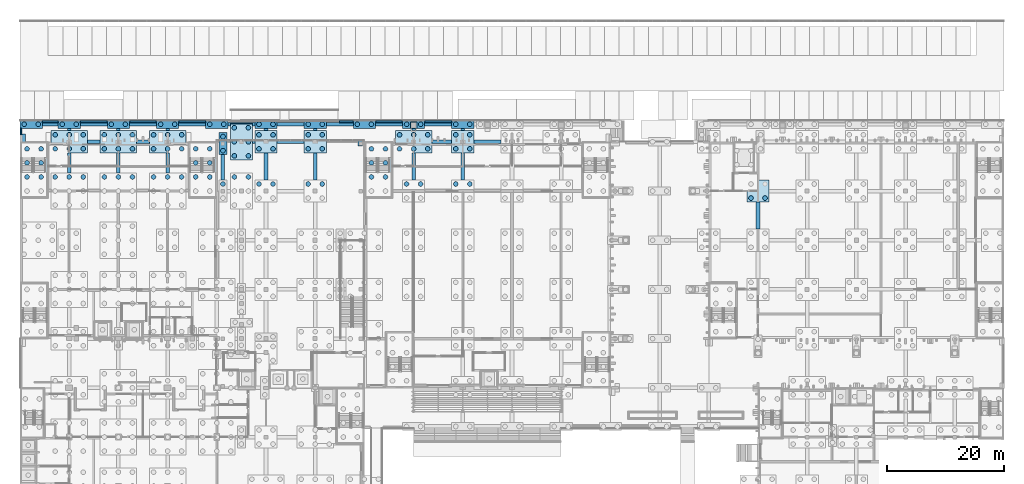
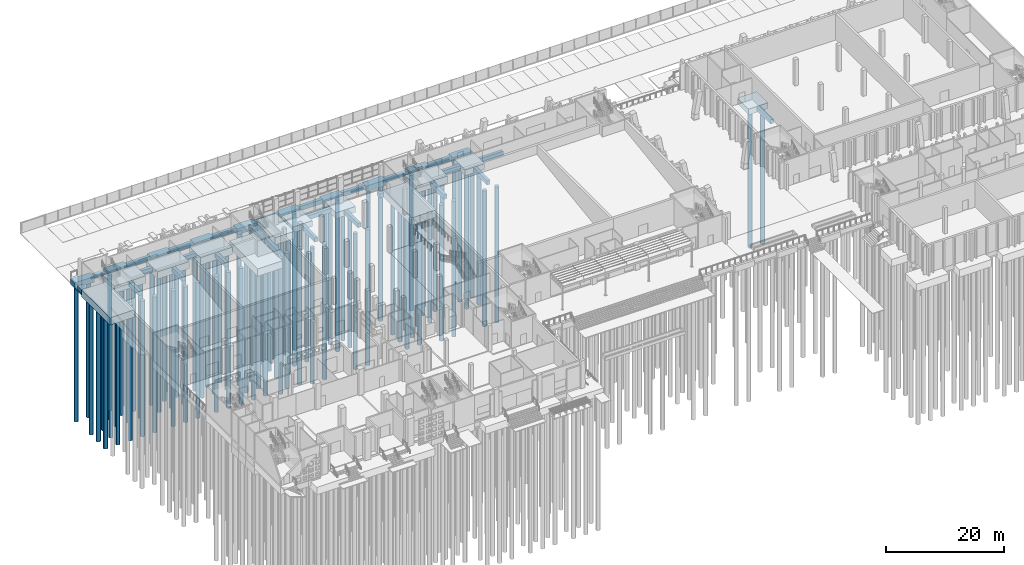
# One storey, part 6 of 129: 104 piles, 67 footings.
"""IFC4 building model written with IfcOpenShell, lengths in metres."""

from ifc_helpers import new_model, si_unit, direction, frame, origin, origin_2d, place, context, subcontext, project, spatial, rectangle, circle, extrude, material, material_profile, profile_set, type_object, element, save


model = new_model("IFC4")

# Units and contexts
model_context = context("Model", 3, precision=1e-05, world=origin(), true_north=direction((0.0, 1.0)))
body_context = subcontext(model_context, "Body", "Model", "MODEL_VIEW")
ifc_project = project(units=[si_unit("LENGTHUNIT", "METRE"), si_unit("AREAUNIT", "SQUARE_METRE"), si_unit("VOLUMEUNIT", "CUBIC_METRE"), si_unit("PLANEANGLEUNIT", "RADIAN"), si_unit("MASSUNIT", "GRAM", prefix="KILO")], contexts=[model_context])

# Site, building, storey
site_placement = place(None, origin())
site = spatial("IfcSite", under=ifc_project, at=site_placement, CompositionType="ELEMENT")
building_placement = place(site_placement, origin())
building = spatial("IfcBuilding", under=site, at=building_placement, Name="Kiln Court Media Centre", CompositionType="ELEMENT")
storey_placement = place(building_placement, origin())
storey = spatial("IfcBuildingStorey", under=building, at=storey_placement, Name="L00", CompositionType="ELEMENT", Elevation=0.0)

# Piles
ifc_material_1 = material(Name="Concrete C30/37", Category="concrete")
ifc_material_profile_1 = material_profile(ifc_material_1, circle(Radius=0.39990234375, at=origin_2d()), Name="PILE D800")
ifc_profile_set_1 = profile_set([ifc_material_profile_1], Name="Concrete C30/37")
pile_type_1 = type_object("IfcPileType", Name="Concrete C30/37 bored pile D800 cut-off -1.400 toe -29.400", PredefinedType="BORED", material=ifc_profile_set_1)
for number, where, z_axis, x_axis, name in (
    (1, (34.64990234375, 60.0, -1.39990234375), (0.0, 0.0, -1.0), (1.0, 0.0, 0.0), "L00-PI-1712"),
    (2, (40.800048828125, 60.0, -1.39990234375), (0.0, 0.0, -1.0), (1.0, 0.0, 0.0), "L00-PI-1721"),
    (3, (43.199951171875, 60.0, -1.39990234375), (0.0, 0.0, -1.0), (1.0, 0.0, 0.0), "L00-PI-1722"),
    (4, (49.199951171875, 60.0, -1.39990234375), (0.0, 0.0, -1.0), (1.0, 0.0, 0.0), "L00-PI-1725"),
    (5, (51.60009765625, 60.0, -1.39990234375), (0.0, 0.0, -1.0), (1.0, 0.0, 0.0), "L00-PI-1726"),
    (6, (66.0, 60.0, -1.39990234375), (0.0, 0.0, -1.0), (1.0, 0.0, 0.0), "L00-PI-1729"),
    (7, (68.39990234375, 60.0, -1.39990234375), (0.0, 0.0, -1.0), (1.0, 0.0, 0.0), "L00-PI-1730"),
    (8, (74.39990234375, 60.0, -1.39990234375), (0.0, 0.0, -1.0), (1.0, 0.0, 0.0), "L00-PI-1733"),
    (9, (76.800048828125, 60.0, -1.39990234375), (0.0, 0.0, -1.0), (1.0, 0.0, 0.0), "L00-PI-1734"),
    (10, (124.800048828125, 57.60009765625, -1.39990234375), (0.0, 0.0, -1.0), (1.0, 0.0, 0.0), "L00-PI-1749"),
    (11, (127.199951171875, 57.60009765625, -1.39990234375), (0.0, 0.0, -1.0), (1.0, 0.0, 0.0), "L00-PI-1750"),
    (12, (34.64990234375, 65.699951171875, -1.39990234375), (0.0, 0.0, -1.0), (1.0, 0.0, 0.0), "L00-PI-1813"),
    (13, (34.64990234375, 68.10009765625, -1.39990234375), (0.0, 0.0, -1.0), (1.0, 0.0, 0.0), "L00-PI-1814"),
    (14, (40.800048828125, 66.0, -1.39990234375), (0.0, 0.0, -1.0), (1.0, 0.0, 0.0), "L00-PI-1839"),
    (15, (43.199951171875, 66.0, -1.39990234375), (0.0, 0.0, -1.0), (1.0, 0.0, 0.0), "L00-PI-1840"),
    (16, (40.800048828125, 68.39990234375, -1.39990234375), (0.0, 0.0, -1.0), (1.0, 0.0, 0.0), "L00-PI-1841"),
    (17, (43.199951171875, 68.39990234375, -1.39990234375), (0.0, 0.0, -1.0), (1.0, 0.0, 0.0), "L00-PI-1842"),
    (18, (49.199951171875, 66.0, -1.39990234375), (0.0, 0.0, -1.0), (1.0, 0.0, 0.0), "L00-PI-1843"),
    (19, (51.60009765625, 66.0, -1.39990234375), (0.0, 0.0, -1.0), (1.0, 0.0, 0.0), "L00-PI-1844"),
    (20, (49.199951171875, 68.39990234375, -1.39990234375), (0.0, 0.0, -1.0), (1.0, 0.0, 0.0), "L00-PI-1845"),
    (21, (51.60009765625, 68.39990234375, -1.39990234375), (0.0, 0.0, -1.0), (1.0, 0.0, 0.0), "L00-PI-1846"),
    (22, (74.39990234375, 66.0, -1.39990234375), (0.0, 0.0, -1.0), (1.0, 0.0, 0.0), "L00-PI-1853"),
    (23, (76.800048828125, 66.0, -1.39990234375), (0.0, 0.0, -1.0), (1.0, 0.0, 0.0), "L00-PI-1854"),
    (24, (74.39990234375, 68.39990234375, -1.39990234375), (0.0, 0.0, -1.0), (1.0, 0.0, 0.0), "L00-PI-1855"),
    (25, (76.800048828125, 68.39990234375, -1.39990234375), (0.0, 0.0, -1.0), (1.0, 0.0, 0.0), "L00-PI-1856"),
    (26, (0.699951171875, 70.199951171875, -1.39990234375), (0.0, 0.0, -1.0), (1.0, 0.0, 0.0), "L00-PI-1891"),
    (27, (3.10009765625, 70.199951171875, -1.39990234375), (0.0, 0.0, -1.0), (1.0, 0.0, 0.0), "L00-PI-1892"),
    (28, (7.199951171875, 70.199951171875, -1.39990234375), (0.0, 0.0, -1.0), (1.0, 0.0, 0.0), "L00-PI-1893"),
    (29, (9.60009765625, 70.199951171875, -1.39990234375), (0.0, 0.0, -1.0), (1.0, 0.0, 0.0), "L00-PI-1894"),
    (30, (15.60009765625, 70.199951171875, -1.39990234375), (0.0, 0.0, -1.0), (1.0, 0.0, 0.0), "L00-PI-1895"),
    (31, (18.0, 70.199951171875, -1.39990234375), (0.0, 0.0, -1.0), (1.0, 0.0, 0.0), "L00-PI-1896"),
    (32, (24.0, 70.199951171875, -1.39990234375), (0.0, 0.0, -1.0), (1.0, 0.0, 0.0), "L00-PI-1897"),
    (33, (26.39990234375, 70.199951171875, -1.39990234375), (0.0, 0.0, -1.0), (1.0, 0.0, 0.0), "L00-PI-1898"),
    (34, (32.39990234375, 70.199951171875, -1.39990234375), (0.0, 0.0, -1.0), (1.0, 0.0, 0.0), "L00-PI-1899"),
    (35, (34.800048828125, 70.199951171875, -1.39990234375), (0.0, 0.0, -1.0), (1.0, 0.0, 0.0), "L00-PI-1900"),
    (36, (40.800048828125, 70.199951171875, -1.39990234375), (0.0, 0.0, -1.0), (1.0, 0.0, 0.0), "L00-PI-1901"),
    (37, (43.199951171875, 70.199951171875, -1.39990234375), (0.0, 0.0, -1.0), (1.0, 0.0, 0.0), "L00-PI-1902"),
    (38, (49.199951171875, 70.199951171875, -1.39990234375), (0.0, 0.0, -1.0), (1.0, 0.0, 0.0), "L00-PI-1903"),
    (39, (51.60009765625, 70.199951171875, -1.39990234375), (0.0, 0.0, -1.0), (1.0, 0.0, 0.0), "L00-PI-1904"),
    (40, (57.60009765625, 70.199951171875, -1.39990234375), (0.0, 0.0, -1.0), (1.0, 0.0, 0.0), "L00-PI-1905"),
    (41, (60.0, 70.199951171875, -1.39990234375), (0.0, 0.0, -1.0), (1.0, 0.0, 0.0), "L00-PI-1906"),
    (42, (66.0, 70.199951171875, -1.39990234375), (0.0, 0.0, -1.0), (1.0, 0.0, 0.0), "L00-PI-1907"),
    (43, (68.39990234375, 70.199951171875, -1.39990234375), (0.0, 0.0, -1.0), (1.0, 0.0, 0.0), "L00-PI-1908"),
    (44, (74.39990234375, 70.199951171875, -1.39990234375), (0.0, 0.0, -1.0), (1.0, 0.0, 0.0), "L00-PI-1909"),
    (45, (76.800048828125, 70.199951171875, -1.39990234375), (0.0, 0.0, -1.0), (1.0, 0.0, 0.0), "L00-PI-1910"),
):
    element("IfcPile", number, at=place(storey_placement, frame(where, z_axis=z_axis, x_axis=x_axis)), inside=storey, type_object=pile_type_1, Name=name, PredefinedType="BORED", context=body_context, shape_type="SweptSolid", body=[
        extrude(circle(Radius=0.39990234375, at=origin_2d()), origin(), (0.0, 0.0, 1.0), 28.0),
    ])
ifc_material_2 = material(Name="Concrete C30/37", Category="concrete")
ifc_material_profile_2 = material_profile(ifc_material_2, circle(Radius=0.39990234375, at=origin_2d()), Name="PILE D800")
ifc_profile_set_2 = profile_set([ifc_material_profile_2], Name="Concrete C30/37")
pile_type_2 = type_object("IfcPileType", Name="Concrete C30/37 bored pile D800 cut-off -1.700 toe -29.700", PredefinedType="BORED", material=ifc_profile_set_2)
for number, where, z_axis, x_axis, name in (
    (46, (6.0, 61.199951171875, -1.699951171875), (0.0, 0.0, -1.0), (1.0, 0.0, 0.0), "L00-PI-1690"),
    (47, (8.39990234375, 61.199951171875, -1.699951171875), (0.0, 0.0, -1.0), (1.0, 0.0, 0.0), "L00-PI-1691"),
    (48, (10.800048828125, 61.199951171875, -1.699951171875), (0.0, 0.0, -1.0), (1.0, 0.0, 0.0), "L00-PI-1692"),
    (49, (14.39990234375, 61.199951171875, -1.699951171875), (0.0, 0.0, -1.0), (1.0, 0.0, 0.0), "L00-PI-1699"),
    (50, (16.800048828125, 61.199951171875, -1.699951171875), (0.0, 0.0, -1.0), (1.0, 0.0, 0.0), "L00-PI-1700"),
    (51, (19.199951171875, 61.199951171875, -1.699951171875), (0.0, 0.0, -1.0), (1.0, 0.0, 0.0), "L00-PI-1701"),
    (52, (22.800048828125, 61.199951171875, -1.699951171875), (0.0, 0.0, -1.0), (1.0, 0.0, 0.0), "L00-PI-1708"),
    (53, (25.199951171875, 61.199951171875, -1.699951171875), (0.0, 0.0, -1.0), (1.0, 0.0, 0.0), "L00-PI-1709"),
    (54, (27.60009765625, 61.199951171875, -1.699951171875), (0.0, 0.0, -1.0), (1.0, 0.0, 0.0), "L00-PI-1710"),
    (55, (36.60107421875, 61.199951171875, -1.699951171875), (0.0, 0.0, -1.0), (1.0, 0.0, 0.0), "L00-PI-1717"),
    (56, (39.0009765625, 61.199951171875, -1.699951171875), (0.0, 0.0, -1.0), (1.0, 0.0, 0.0), "L00-PI-1718"),
    (57, (1.199951171875, 61.199951171875, -1.699951171875), (0.0, 0.0, -1.0), (1.0, 0.0, 0.0), "L00-PI-1771"),
    (58, (3.60009765625, 61.199951171875, -1.699951171875), (0.0, 0.0, -1.0), (1.0, 0.0, 0.0), "L00-PI-1772"),
    (59, (1.199951171875, 63.60009765625, -1.699951171875), (0.0, 0.0, -1.0), (1.0, 0.0, 0.0), "L00-PI-1773"),
    (60, (3.60009765625, 63.60009765625, -1.699951171875), (0.0, 0.0, -1.0), (1.0, 0.0, 0.0), "L00-PI-1774"),
    (61, (1.199951171875, 66.0, -1.699951171875), (0.0, 0.0, -1.0), (1.0, 0.0, 0.0), "L00-PI-1775"),
    (62, (3.60009765625, 66.0, -1.699951171875), (0.0, 0.0, -1.0), (1.0, 0.0, 0.0), "L00-PI-1776"),
    (63, (30.0, 61.199951171875, -1.699951171875), (0.0, 0.0, -1.0), (1.0, 0.0, 0.0), "L00-PI-1779"),
    (64, (32.39990234375, 61.199951171875, -1.699951171875), (0.0, 0.0, -1.0), (1.0, 0.0, 0.0), "L00-PI-1780"),
    (65, (30.0, 63.60009765625, -1.699951171875), (0.0, 0.0, -1.0), (1.0, 0.0, 0.0), "L00-PI-1781"),
    (66, (32.39990234375, 63.60009765625, -1.699951171875), (0.0, 0.0, -1.0), (1.0, 0.0, 0.0), "L00-PI-1782"),
    (67, (30.0, 66.0, -1.699951171875), (0.0, 0.0, -1.0), (1.0, 0.0, 0.0), "L00-PI-1783"),
    (68, (32.39990234375, 66.0, -1.699951171875), (0.0, 0.0, -1.0), (1.0, 0.0, 0.0), "L00-PI-1784"),
    (69, (60.0, 61.199951171875, -1.699951171875), (0.0, 0.0, -1.0), (1.0, 0.0, 0.0), "L00-PI-1787"),
    (70, (62.39990234375, 61.199951171875, -1.699951171875), (0.0, 0.0, -1.0), (1.0, 0.0, 0.0), "L00-PI-1788"),
    (71, (60.0, 63.60009765625, -1.699951171875), (0.0, 0.0, -1.0), (1.0, 0.0, 0.0), "L00-PI-1789"),
    (72, (62.39990234375, 63.60009765625, -1.699951171875), (0.0, 0.0, -1.0), (1.0, 0.0, 0.0), "L00-PI-1790"),
    (73, (60.0, 66.0, -1.699951171875), (0.0, 0.0, -1.0), (1.0, 0.0, 0.0), "L00-PI-1791"),
    (74, (62.39990234375, 66.0, -1.699951171875), (0.0, 0.0, -1.0), (1.0, 0.0, 0.0), "L00-PI-1792"),
    (75, (6.0, 66.0, -1.699951171875), (0.0, 0.0, -1.0), (1.0, 0.0, 0.0), "L00-PI-1815"),
    (76, (8.39990234375, 66.0, -1.699951171875), (0.0, 0.0, -1.0), (1.0, 0.0, 0.0), "L00-PI-1816"),
    (77, (10.800048828125, 66.0, -1.699951171875), (0.0, 0.0, -1.0), (1.0, 0.0, 0.0), "L00-PI-1817"),
    (78, (6.0, 68.39990234375, -1.699951171875), (0.0, 0.0, -1.0), (1.0, 0.0, 0.0), "L00-PI-1818"),
    (79, (8.39990234375, 68.39990234375, -1.699951171875), (0.0, 0.0, -1.0), (1.0, 0.0, 0.0), "L00-PI-1819"),
    (80, (10.800048828125, 68.39990234375, -1.699951171875), (0.0, 0.0, -1.0), (1.0, 0.0, 0.0), "L00-PI-1820"),
    (81, (14.39990234375, 66.0, -1.699951171875), (0.0, 0.0, -1.0), (1.0, 0.0, 0.0), "L00-PI-1821"),
    (82, (16.800048828125, 66.0, -1.699951171875), (0.0, 0.0, -1.0), (1.0, 0.0, 0.0), "L00-PI-1822"),
    (83, (19.199951171875, 66.0, -1.699951171875), (0.0, 0.0, -1.0), (1.0, 0.0, 0.0), "L00-PI-1823"),
    (84, (14.39990234375, 68.39990234375, -1.699951171875), (0.0, 0.0, -1.0), (1.0, 0.0, 0.0), "L00-PI-1824"),
    (85, (16.800048828125, 68.39990234375, -1.699951171875), (0.0, 0.0, -1.0), (1.0, 0.0, 0.0), "L00-PI-1825"),
    (86, (19.199951171875, 68.39990234375, -1.699951171875), (0.0, 0.0, -1.0), (1.0, 0.0, 0.0), "L00-PI-1826"),
    (87, (22.800048828125, 66.0, -1.699951171875), (0.0, 0.0, -1.0), (1.0, 0.0, 0.0), "L00-PI-1827"),
    (88, (25.199951171875, 66.0, -1.699951171875), (0.0, 0.0, -1.0), (1.0, 0.0, 0.0), "L00-PI-1828"),
    (89, (27.60009765625, 66.0, -1.699951171875), (0.0, 0.0, -1.0), (1.0, 0.0, 0.0), "L00-PI-1829"),
    (90, (22.800048828125, 68.39990234375, -1.699951171875), (0.0, 0.0, -1.0), (1.0, 0.0, 0.0), "L00-PI-1830"),
    (91, (25.199951171875, 68.39990234375, -1.699951171875), (0.0, 0.0, -1.0), (1.0, 0.0, 0.0), "L00-PI-1831"),
    (92, (27.60009765625, 68.39990234375, -1.699951171875), (0.0, 0.0, -1.0), (1.0, 0.0, 0.0), "L00-PI-1832"),
    (93, (36.60009765625, 64.800048828125, -1.699951171875), (0.0, 0.0, -1.0), (1.0, 0.0, 0.0), "L00-PI-1833"),
    (94, (39.0, 64.800048828125, -1.699951171875), (0.0, 0.0, -1.0), (1.0, 0.0, 0.0), "L00-PI-1834"),
    (95, (36.60009765625, 67.199951171875, -1.699951171875), (0.0, 0.0, -1.0), (1.0, 0.0, 0.0), "L00-PI-1835"),
    (96, (39.0, 67.199951171875, -1.699951171875), (0.0, 0.0, -1.0), (1.0, 0.0, 0.0), "L00-PI-1836"),
    (97, (36.60009765625, 69.60009765625, -1.699951171875), (0.0, 0.0, -1.0), (1.0, 0.0, 0.0), "L00-PI-1837"),
    (98, (39.0, 69.60009765625, -1.699951171875), (0.0, 0.0, -1.0), (1.0, 0.0, 0.0), "L00-PI-1838"),
    (99, (64.800048828125, 66.0, -1.699951171875), (0.0, 0.0, -1.0), (1.0, 0.0, 0.0), "L00-PI-1847"),
    (100, (67.199951171875, 66.0, -1.699951171875), (0.0, 0.0, -1.0), (1.0, 0.0, 0.0), "L00-PI-1848"),
    (101, (69.60009765625, 66.0, -1.699951171875), (0.0, 0.0, -1.0), (1.0, 0.0, 0.0), "L00-PI-1849"),
    (102, (64.800048828125, 68.39990234375, -1.699951171875), (0.0, 0.0, -1.0), (1.0, 0.0, 0.0), "L00-PI-1850"),
    (103, (67.199951171875, 68.39990234375, -1.699951171875), (0.0, 0.0, -1.0), (1.0, 0.0, 0.0), "L00-PI-1851"),
    (104, (69.60009765625, 68.39990234375, -1.699951171875), (0.0, 0.0, -1.0), (1.0, 0.0, 0.0), "L00-PI-1852"),
):
    element("IfcPile", number, at=place(storey_placement, frame(where, z_axis=z_axis, x_axis=x_axis)), inside=storey, type_object=pile_type_2, Name=name, PredefinedType="BORED", context=body_context, shape_type="SweptSolid", body=[
        extrude(circle(Radius=0.39990234375, at=origin_2d()), origin(), (0.0, 0.0, 1.0), 28.0),
    ])

# Footings
ifc_material_3 = material(Name="Concrete C30/37", Category="concrete")
footing_type_1 = type_object("IfcFootingType", Name="Concrete C30/37 column pad 1500x900", PredefinedType="PAD_FOOTING", material=ifc_material_3)
footing_1_placement = place(storey_placement, frame((0.47509765625, 67.875, -1.199951171875), z_axis=(0.0, 0.0, 1.0), x_axis=(1.0, 0.0, 0.0)))
element("IfcFooting", 105, at=footing_1_placement, inside=storey, type_object=footing_type_1, Name="L00-FT-1543", PredefinedType="PAD_FOOTING", context=body_context, shape_type="SweptSolid", body=[
    extrude(rectangle(XDim=0.949951171875, YDim=1.35009765625, at=origin_2d()), origin(), (0.0, 0.0, 1.0), 0.89990234375),
])
ifc_material_4 = material(Name="Concrete C30/37", Category="concrete")
footing_type_2 = type_object("IfcFootingType", Name="Concrete C30/37 column pad 900x900", PredefinedType="PAD_FOOTING", material=ifc_material_4)
footing_2_placement = place(storey_placement, frame((58.074951171875, 66.89990234375, -1.199951171875), z_axis=(0.0, 0.0, 1.0), x_axis=(1.0, 0.0, 0.0)))
element("IfcFooting", 106, at=footing_2_placement, inside=storey, type_object=footing_type_2, Name="L00-FT-1521", PredefinedType="PAD_FOOTING", context=body_context, shape_type="SweptSolid", body=[
    extrude(rectangle(XDim=0.75, YDim=0.89990234375, at=origin_2d()), origin(), (0.0, 0.0, 1.0), 0.89990234375),
])
ifc_material_5 = material(Name="Concrete C30/37", Category="concrete")
footing_type_3 = type_object("IfcFootingType", Name="Concrete C30/37 foot pier 1100x1100", PredefinedType="PAD_FOOTING", material=ifc_material_5)
footing_3_placement = place(storey_placement, frame((67.199951171875, 70.044189453125, -0.2998046875), z_axis=(0.0, 0.0, 1.0), x_axis=(1.0, 0.0, 0.0)))
element("IfcFooting", 107, at=footing_3_placement, inside=storey, type_object=footing_type_3, Name="L00-FT-1004", PredefinedType="PAD_FOOTING", context=body_context, shape_type="SweptSolid", body=[
    extrude(rectangle(XDim=1.10009765625, YDim=1.10009765625, at=origin_2d()), origin(), (0.0, 0.0, 1.0), 0.300048828125),
])
ifc_material_6 = material(Name="Concrete C30/37", Category="concrete")
footing_type_4 = type_object("IfcFootingType", Name="Concrete C30/37 ground beam 600x900", PredefinedType="STRIP_FOOTING", material=ifc_material_6)
footing_4_placement = place(storey_placement, frame((126.0, 54.60009765625, -1.199951171875), z_axis=(0.0, 0.0, 1.0), x_axis=(1.0, 0.0, 0.0)))
element("IfcFooting", 108, at=footing_4_placement, inside=storey, type_object=footing_type_4, Name="L00-FT-1369", PredefinedType="STRIP_FOOTING", context=body_context, shape_type="SweptSolid", body=[
    extrude(rectangle(XDim=0.60009765625, YDim=4.60009765625, at=origin_2d()), origin(), (0.0, 0.0, 1.0), 0.89990234375),
])
for number, where, z_axis, x_axis, name in (
    (109, (8.39990234375, 63.60009765625, -1.199951171875), (0.0, 0.0, 1.0), (1.0, 0.0, 0.0), "L00-FT-1384"),
    (110, (16.800048828125, 63.60009765625, -1.199951171875), (0.0, 0.0, 1.0), (1.0, 0.0, 0.0), "L00-FT-1385"),
    (111, (25.199951171875, 63.60009765625, -1.199951171875), (0.0, 0.0, 1.0), (1.0, 0.0, 0.0), "L00-FT-1386"),
):
    element("IfcFooting", number, at=place(storey_placement, frame(where, z_axis=z_axis, x_axis=x_axis)), inside=storey, type_object=footing_type_4, Name=name, PredefinedType="STRIP_FOOTING", context=body_context, shape_type="SweptSolid", body=[
        extrude(rectangle(XDim=0.60009765625, YDim=3.39990234375, at=origin_2d()), origin(), (0.0, 0.0, 1.0), 0.89990234375),
    ])
footing_5_placement = place(storey_placement, frame((34.64990234375, 62.85009765625, -1.199951171875), z_axis=(0.0, 0.0, 1.0), x_axis=(1.0, 0.0, 0.0)))
element("IfcFooting", 112, at=footing_5_placement, inside=storey, type_object=footing_type_4, Name="L00-FT-1387", PredefinedType="STRIP_FOOTING", context=body_context, shape_type="SweptSolid", body=[
    extrude(rectangle(XDim=0.60009765625, YDim=4.300048828125, at=origin_2d()), origin(), (0.0, 0.0, 1.0), 0.89990234375),
])
for number, where, z_axis, x_axis, name in (
    (113, (42.0, 63.0, -1.199951171875), (0.0, 0.0, 1.0), (1.0, 0.0, 0.0), "L00-FT-1388"),
    (114, (50.39990234375, 63.0, -1.199951171875), (0.0, 0.0, 1.0), (1.0, 0.0, 0.0), "L00-FT-1389"),
    (115, (67.199951171875, 63.0, -1.199951171875), (0.0, 0.0, 1.0), (1.0, 0.0, 0.0), "L00-FT-1390"),
    (116, (75.60009765625, 63.0, -1.199951171875), (0.0, 0.0, 1.0), (1.0, 0.0, 0.0), "L00-FT-1391"),
):
    element("IfcFooting", number, at=place(storey_placement, frame(where, z_axis=z_axis, x_axis=x_axis)), inside=storey, type_object=footing_type_4, Name=name, PredefinedType="STRIP_FOOTING", context=body_context, shape_type="SweptSolid", body=[
        extrude(rectangle(XDim=0.60009765625, YDim=4.60009765625, at=origin_2d()), origin(), (0.0, 0.0, 1.0), 0.89990234375),
    ])
for number, where, z_axis, x_axis, name in (
    (117, (12.60009765625, 67.199951171875, -1.199951171875), (0.0, 0.0, 1.0), (1.0, 0.0, 0.0), "L00-FT-1399"),
    (118, (21.0, 67.199951171875, -1.199951171875), (0.0, 0.0, 1.0), (1.0, 0.0, 0.0), "L00-FT-1400"),
):
    element("IfcFooting", number, at=place(storey_placement, frame(where, z_axis=z_axis, x_axis=x_axis)), inside=storey, type_object=footing_type_4, Name=name, PredefinedType="STRIP_FOOTING", context=body_context, shape_type="SweptSolid", body=[
        extrude(rectangle(XDim=2.199951171875, YDim=0.60009765625, at=origin_2d()), origin(), (0.0, 0.0, 1.0), 0.89990234375),
    ])
footing_6_placement = place(storey_placement, frame((39.89990234375, 67.199951171875, -1.199951171875), z_axis=(0.0, 0.0, 1.0), x_axis=(1.0, 0.0, 0.0)))
element("IfcFooting", 119, at=footing_6_placement, inside=storey, type_object=footing_type_4, Name="L00-FT-1401", PredefinedType="STRIP_FOOTING", context=body_context, shape_type="SweptSolid", body=[
    extrude(rectangle(XDim=0.39990234375, YDim=0.60009765625, at=origin_2d()), origin(), (0.0, 0.0, 1.0), 0.89990234375),
])
footing_7_placement = place(storey_placement, frame((46.199951171875, 67.199951171875, -1.199951171875), z_axis=(0.0, 0.0, 1.0), x_axis=(1.0, 0.0, 0.0)))
element("IfcFooting", 120, at=footing_7_placement, inside=storey, type_object=footing_type_4, Name="L00-FT-1402", PredefinedType="STRIP_FOOTING", context=body_context, shape_type="SweptSolid", body=[
    extrude(rectangle(XDim=4.60009765625, YDim=0.60009765625, at=origin_2d()), origin(), (0.0, 0.0, 1.0), 0.89990234375),
])
footing_8_placement = place(storey_placement, frame((72.0, 67.199951171875, -1.199951171875), z_axis=(0.0, 0.0, 1.0), x_axis=(1.0, 0.0, 0.0)))
element("IfcFooting", 121, at=footing_8_placement, inside=storey, type_object=footing_type_4, Name="L00-FT-1403", PredefinedType="STRIP_FOOTING", context=body_context, shape_type="SweptSolid", body=[
    extrude(rectangle(XDim=3.39990234375, YDim=0.60009765625, at=origin_2d()), origin(), (0.0, 0.0, 1.0), 0.89990234375),
])
footing_9_placement = place(storey_placement, frame((79.800048828125, 67.199951171875, -1.199951171875), z_axis=(0.0, 0.0, 1.0), x_axis=(1.0, 0.0, 0.0)))
element("IfcFooting", 122, at=footing_9_placement, inside=storey, type_object=footing_type_4, Name="L00-FT-1404", PredefinedType="STRIP_FOOTING", context=body_context, shape_type="SweptSolid", body=[
    extrude(rectangle(XDim=4.60009765625, YDim=0.60009765625, at=origin_2d()), origin(), (0.0, 0.0, 1.0), 0.89990234375),
])
for number, where, z_axis, x_axis, name in (
    (123, (8.39990234375, 69.300048828125, -1.199951171875), (0.0, 0.0, 1.0), (1.0, 0.0, 0.0), "L00-FT-1412"),
    (124, (16.800048828125, 69.300048828125, -1.199951171875), (0.0, 0.0, 1.0), (1.0, 0.0, 0.0), "L00-FT-1413"),
    (125, (25.199951171875, 69.300048828125, -1.199951171875), (0.0, 0.0, 1.0), (1.0, 0.0, 0.0), "L00-FT-1414"),
    (126, (42.0, 69.300048828125, -1.199951171875), (0.0, 0.0, 1.0), (1.0, 0.0, 0.0), "L00-FT-1415"),
    (127, (50.39990234375, 69.300048828125, -1.199951171875), (0.0, 0.0, 1.0), (1.0, 0.0, 0.0), "L00-FT-1416"),
    (128, (67.199951171875, 69.300048828125, -1.199951171875), (0.0, 0.0, 1.0), (1.0, 0.0, 0.0), "L00-FT-1417"),
    (129, (75.60009765625, 69.300048828125, -1.199951171875), (0.0, 0.0, 1.0), (1.0, 0.0, 0.0), "L00-FT-1418"),
):
    element("IfcFooting", number, at=place(storey_placement, frame(where, z_axis=z_axis, x_axis=x_axis)), inside=storey, type_object=footing_type_4, Name=name, PredefinedType="STRIP_FOOTING", context=body_context, shape_type="SweptSolid", body=[
        extrude(rectangle(XDim=0.60009765625, YDim=0.39990234375, at=origin_2d()), origin(), (0.0, 0.0, 1.0), 0.89990234375),
    ])
footing_10_placement = place(storey_placement, frame((5.14990234375, 70.199951171875, -1.199951171875), z_axis=(0.0, 0.0, 1.0), x_axis=(1.0, 0.0, 0.0)))
element("IfcFooting", 130, at=footing_10_placement, inside=storey, type_object=footing_type_4, Name="L00-FT-1426", PredefinedType="STRIP_FOOTING", context=body_context, shape_type="SweptSolid", body=[
    extrude(rectangle(XDim=2.699951171875, YDim=0.60009765625, at=origin_2d()), origin(), (0.0, 0.0, 1.0), 0.89990234375),
])
for number, where, z_axis, x_axis, name in (
    (131, (12.60009765625, 70.199951171875, -1.199951171875), (0.0, 0.0, 1.0), (1.0, 0.0, 0.0), "L00-FT-1427"),
    (132, (21.0, 70.199951171875, -1.199951171875), (0.0, 0.0, 1.0), (1.0, 0.0, 0.0), "L00-FT-1428"),
    (133, (29.39990234375, 70.199951171875, -1.199951171875), (0.0, 0.0, 1.0), (1.0, 0.0, 0.0), "L00-FT-1429"),
):
    element("IfcFooting", number, at=place(storey_placement, frame(where, z_axis=z_axis, x_axis=x_axis)), inside=storey, type_object=footing_type_4, Name=name, PredefinedType="STRIP_FOOTING", context=body_context, shape_type="SweptSolid", body=[
        extrude(rectangle(XDim=4.60009765625, YDim=0.60009765625, at=origin_2d()), origin(), (0.0, 0.0, 1.0), 0.89990234375),
    ])
for number, where, z_axis, x_axis, name in (
    (134, (35.699951171875, 70.199951171875, -1.199951171875), (0.0, 0.0, 1.0), (1.0, 0.0, 0.0), "L00-FT-1430"),
    (135, (39.89990234375, 70.199951171875, -1.199951171875), (0.0, 0.0, 1.0), (1.0, 0.0, 0.0), "L00-FT-1431"),
):
    element("IfcFooting", number, at=place(storey_placement, frame(where, z_axis=z_axis, x_axis=x_axis)), inside=storey, type_object=footing_type_4, Name=name, PredefinedType="STRIP_FOOTING", context=body_context, shape_type="SweptSolid", body=[
        extrude(rectangle(XDim=0.39990234375, YDim=0.60009765625, at=origin_2d()), origin(), (0.0, 0.0, 1.0), 0.89990234375),
    ])
footing_11_placement = place(storey_placement, frame((37.800048828125, 70.39990234375, -1.199951171875), z_axis=(0.0, 0.0, 1.0), x_axis=(1.0, 0.0, 0.0)))
element("IfcFooting", 136, at=footing_11_placement, inside=storey, type_object=footing_type_4, Name="L00-FT-1432", PredefinedType="STRIP_FOOTING", context=body_context, shape_type="SweptSolid", body=[
    extrude(rectangle(XDim=3.800048828125, YDim=0.199951171875, at=origin_2d()), origin(), (0.0, 0.0, 1.0), 0.89990234375),
])
for number, where, z_axis, x_axis, name in (
    (137, (46.199951171875, 70.199951171875, -1.199951171875), (0.0, 0.0, 1.0), (1.0, 0.0, 0.0), "L00-FT-1433"),
    (138, (54.60009765625, 70.199951171875, -1.199951171875), (0.0, 0.0, 1.0), (1.0, 0.0, 0.0), "L00-FT-1434"),
    (139, (63.0, 70.199951171875, -1.199951171875), (0.0, 0.0, 1.0), (1.0, 0.0, 0.0), "L00-FT-1435"),
    (140, (71.39990234375, 70.199951171875, -1.199951171875), (0.0, 0.0, 1.0), (1.0, 0.0, 0.0), "L00-FT-1436"),
):
    element("IfcFooting", number, at=place(storey_placement, frame(where, z_axis=z_axis, x_axis=x_axis)), inside=storey, type_object=footing_type_4, Name=name, PredefinedType="STRIP_FOOTING", context=body_context, shape_type="SweptSolid", body=[
        extrude(rectangle(XDim=4.60009765625, YDim=0.60009765625, at=origin_2d()), origin(), (0.0, 0.0, 1.0), 0.89990234375),
    ])
ifc_material_7 = material(Name="Concrete C30/37", Category="concrete")
footing_type_5 = type_object("IfcFootingType", Name="Concrete C30/37 pile cap 1400x3800x1200", PredefinedType="PILE_CAP", material=ifc_material_7)
footing_12_placement = place(storey_placement, frame((34.64990234375, 66.89990234375, -1.5), z_axis=(0.0, 0.0, 1.0), x_axis=(1.0, 0.0, 0.0)))
element("IfcFooting", 141, at=footing_12_placement, inside=storey, type_object=footing_type_5, Name="L00-FT-1188", PredefinedType="PILE_CAP", context=body_context, shape_type="SweptSolid", body=[
    extrude(rectangle(XDim=1.39990234375, YDim=3.800048828125, at=origin_2d()), origin(), (0.0, 0.0, 1.0), 1.199951171875),
])
ifc_material_8 = material(Name="Concrete C30/37", Category="concrete")
footing_type_6 = type_object("IfcFootingType", Name="Concrete C30/37 pile cap 3800x1400x1200", PredefinedType="PILE_CAP", material=ifc_material_8)
for number, where, z_axis, x_axis, name in (
    (142, (1.900390625, 70.199951171875, -1.5), (0.0, 0.0, 1.0), (1.0, 0.0, 0.0), "L00-FT-1206"),
    (143, (8.39990234375, 70.199951171875, -1.5), (0.0, 0.0, 1.0), (1.0, 0.0, 0.0), "L00-FT-1207"),
    (144, (16.800048828125, 70.199951171875, -1.5), (0.0, 0.0, 1.0), (1.0, 0.0, 0.0), "L00-FT-1208"),
    (145, (25.199951171875, 70.199951171875, -1.5), (0.0, 0.0, 1.0), (1.0, 0.0, 0.0), "L00-FT-1209"),
    (146, (33.60009765625, 70.199951171875, -1.5), (0.0, 0.0, 1.0), (1.0, 0.0, 0.0), "L00-FT-1210"),
    (147, (42.0, 70.199951171875, -1.5), (0.0, 0.0, 1.0), (1.0, 0.0, 0.0), "L00-FT-1211"),
    (148, (50.39990234375, 70.199951171875, -1.5), (0.0, 0.0, 1.0), (1.0, 0.0, 0.0), "L00-FT-1212"),
    (149, (58.800048828125, 70.199951171875, -1.5), (0.0, 0.0, 1.0), (1.0, 0.0, 0.0), "L00-FT-1213"),
    (150, (67.199951171875, 70.199951171875, -1.5), (0.0, 0.0, 1.0), (1.0, 0.0, 0.0), "L00-FT-1214"),
    (151, (75.60009765625, 70.199951171875, -1.5), (0.0, 0.0, 1.0), (1.0, 0.0, 0.0), "L00-FT-1215"),
):
    element("IfcFooting", number, at=place(storey_placement, frame(where, z_axis=z_axis, x_axis=x_axis)), inside=storey, type_object=footing_type_6, Name=name, PredefinedType="PILE_CAP", context=body_context, shape_type="SweptSolid", body=[
        extrude(rectangle(XDim=3.800048828125, YDim=1.39990234375, at=origin_2d()), origin(), (0.0, 0.0, 1.0), 1.199951171875),
    ])
ifc_material_9 = material(Name="Concrete C30/37", Category="concrete")
footing_type_7 = type_object("IfcFootingType", Name="Concrete C30/37 pile cap 3800x3800x1200", PredefinedType="PILE_CAP", material=ifc_material_9)
for number, where, z_axis, x_axis, name in (
    (152, (126.0, 58.800048828125, -1.5), (0.0, 0.0, 1.0), (1.0, 0.0, 0.0), "L00-FT-1177"),
    (153, (42.0, 67.199951171875, -1.5), (0.0, 0.0, 1.0), (1.0, 0.0, 0.0), "L00-FT-1193"),
    (154, (50.39990234375, 67.199951171875, -1.5), (0.0, 0.0, 1.0), (1.0, 0.0, 0.0), "L00-FT-1194"),
    (155, (75.60009765625, 67.199951171875, -1.5), (0.0, 0.0, 1.0), (1.0, 0.0, 0.0), "L00-FT-1196"),
):
    element("IfcFooting", number, at=place(storey_placement, frame(where, z_axis=z_axis, x_axis=x_axis)), inside=storey, type_object=footing_type_7, Name=name, PredefinedType="PILE_CAP", context=body_context, shape_type="SweptSolid", body=[
        extrude(rectangle(XDim=3.800048828125, YDim=3.800048828125, at=origin_2d()), origin(), (0.0, 0.0, 1.0), 1.199951171875),
    ])
ifc_material_10 = material(Name="Concrete C30/37", Category="concrete")
footing_type_8 = type_object("IfcFootingType", Name="Concrete C30/37 pile cap 3800x6200x1500", PredefinedType="PILE_CAP", material=ifc_material_10)
footing_13_placement = place(storey_placement, frame((37.800048828125, 67.199951171875, -1.800048828125), z_axis=(0.0, 0.0, 1.0), x_axis=(1.0, 0.0, 0.0)))
element("IfcFooting", 156, at=footing_13_placement, inside=storey, type_object=footing_type_8, Name="L00-FT-1192", PredefinedType="PILE_CAP", context=body_context, shape_type="SweptSolid", body=[
    extrude(rectangle(XDim=3.800048828125, YDim=6.199951171875, at=origin_2d()), origin(), (0.0, 0.0, 1.0), 1.5),
])
ifc_material_11 = material(Name="Concrete C30/37", Category="concrete")
footing_type_9 = type_object("IfcFootingType", Name="Concrete C30/37 pile cap 4800x9600x1500", PredefinedType="PILE_CAP", material=ifc_material_11)
for number, where, z_axis, x_axis, name in (
    (157, (2.400390625, 62.39990234375, -1.800048828125), (0.0, 0.0, 1.0), (1.0, 0.0, 0.0), "L00-FT-1182"),
    (158, (31.199951171875, 62.39990234375, -1.800048828125), (0.0, 0.0, 1.0), (1.0, 0.0, 0.0), "L00-FT-1183"),
    (159, (61.199951171875, 62.39990234375, -1.800048828125), (0.0, 0.0, 1.0), (1.0, 0.0, 0.0), "L00-FT-1184"),
):
    element("IfcFooting", number, at=place(storey_placement, frame(where, z_axis=z_axis, x_axis=x_axis)), inside=storey, type_object=footing_type_9, Name=name, PredefinedType="PILE_CAP", context=body_context, shape_type="SweptSolid", body=[
        extrude(rectangle(XDim=4.800048828125, YDim=9.60009765625, at=origin_2d()), origin(), (0.0, 0.0, 1.0), 1.5),
    ])
ifc_material_12 = material(Name="Concrete C30/37", Category="concrete")
footing_type_10 = type_object("IfcFootingType", Name="Concrete C30/37 pile cap 6200x3800x1500", PredefinedType="PILE_CAP", material=ifc_material_12)
for number, where, z_axis, x_axis, name in (
    (160, (8.39990234375, 67.199951171875, -1.800048828125), (0.0, 0.0, 1.0), (1.0, 0.0, 0.0), "L00-FT-1189"),
    (161, (16.800048828125, 67.199951171875, -1.800048828125), (0.0, 0.0, 1.0), (1.0, 0.0, 0.0), "L00-FT-1190"),
    (162, (25.199951171875, 67.199951171875, -1.800048828125), (0.0, 0.0, 1.0), (1.0, 0.0, 0.0), "L00-FT-1191"),
    (163, (67.199951171875, 67.199951171875, -1.800048828125), (0.0, 0.0, 1.0), (1.0, 0.0, 0.0), "L00-FT-1195"),
):
    element("IfcFooting", number, at=place(storey_placement, frame(where, z_axis=z_axis, x_axis=x_axis)), inside=storey, type_object=footing_type_10, Name=name, PredefinedType="PILE_CAP", context=body_context, shape_type="SweptSolid", body=[
        extrude(rectangle(XDim=6.199951171875, YDim=3.800048828125, at=origin_2d()), origin(), (0.0, 0.0, 1.0), 1.5),
    ])
ifc_material_13 = material(Name="Concrete C30/37", Category="concrete")
footing_type_11 = type_object("IfcFootingType", Name="Concrete C30/37 wall footing 300x300", PredefinedType="STRIP_FOOTING", material=ifc_material_13)
footing_14_placement = place(storey_placement, frame((5.14990234375, 70.64990234375, -1.5), z_axis=(0.0, 0.0, 1.0), x_axis=(1.0, 0.0, 0.0)))
element("IfcFooting", 164, at=footing_14_placement, inside=storey, type_object=footing_type_11, Name="L00-FT-1500", PredefinedType="STRIP_FOOTING", context=body_context, shape_type="SweptSolid", body=[
    extrude(rectangle(XDim=2.699951171875, YDim=0.300048828125, at=origin_2d()), origin(), (0.0, 0.0, 1.0), 0.300048828125),
])
for number, where, z_axis, x_axis, name in (
    (165, (12.60009765625, 70.64990234375, -1.5), (0.0, 0.0, 1.0), (1.0, 0.0, 0.0), "L00-FT-1501"),
    (166, (21.0, 70.64990234375, -1.5), (0.0, 0.0, 1.0), (1.0, 0.0, 0.0), "L00-FT-1502"),
    (167, (29.39990234375, 70.64990234375, -1.5), (0.0, 0.0, 1.0), (1.0, 0.0, 0.0), "L00-FT-1503"),
):
    element("IfcFooting", number, at=place(storey_placement, frame(where, z_axis=z_axis, x_axis=x_axis)), inside=storey, type_object=footing_type_11, Name=name, PredefinedType="STRIP_FOOTING", context=body_context, shape_type="SweptSolid", body=[
        extrude(rectangle(XDim=4.60009765625, YDim=0.300048828125, at=origin_2d()), origin(), (0.0, 0.0, 1.0), 0.300048828125),
    ])
footing_15_placement = place(storey_placement, frame((55.699951171875, 70.64990234375, -1.5), z_axis=(0.0, 0.0, 1.0), x_axis=(1.0, 0.0, 0.0)))
element("IfcFooting", 168, at=footing_15_placement, inside=storey, type_object=footing_type_11, Name="L00-FT-1504", PredefinedType="STRIP_FOOTING", context=body_context, shape_type="SweptSolid", body=[
    extrude(rectangle(XDim=2.39990234375, YDim=0.300048828125, at=origin_2d()), origin(), (0.0, 0.0, 1.0), 0.300048828125),
])
for number, where, z_axis, x_axis, name in (
    (169, (63.0, 70.64990234375, -1.5), (0.0, 0.0, 1.0), (1.0, 0.0, 0.0), "L00-FT-1505"),
    (170, (71.39990234375, 70.64990234375, -1.5), (0.0, 0.0, 1.0), (1.0, 0.0, 0.0), "L00-FT-1506"),
):
    element("IfcFooting", number, at=place(storey_placement, frame(where, z_axis=z_axis, x_axis=x_axis)), inside=storey, type_object=footing_type_11, Name=name, PredefinedType="STRIP_FOOTING", context=body_context, shape_type="SweptSolid", body=[
        extrude(rectangle(XDim=4.60009765625, YDim=0.300048828125, at=origin_2d()), origin(), (0.0, 0.0, 1.0), 0.300048828125),
    ])
footing_16_placement = place(storey_placement, frame((0.150390625, 68.35009765625, -1.5), z_axis=(0.0, 0.0, 1.0), x_axis=(1.0, 0.0, 0.0)))
element("IfcFooting", 171, at=footing_16_placement, inside=storey, type_object=footing_type_11, Name="L00-FT-1509", PredefinedType="STRIP_FOOTING", context=body_context, shape_type="SweptSolid", body=[
    extrude(rectangle(XDim=0.300048828125, YDim=2.300048828125, at=origin_2d()), origin(), (0.0, 0.0, 1.0), 0.300048828125),
])

save(model, "model.ifc")
